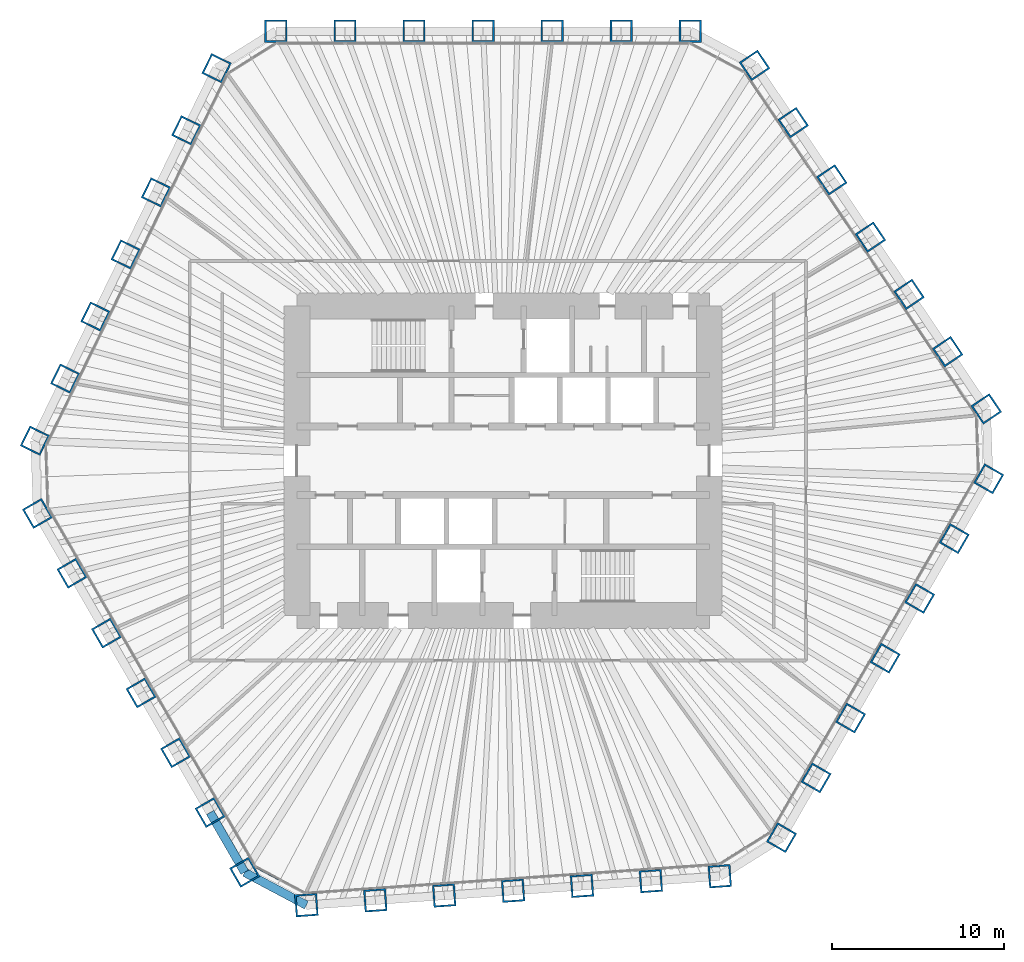
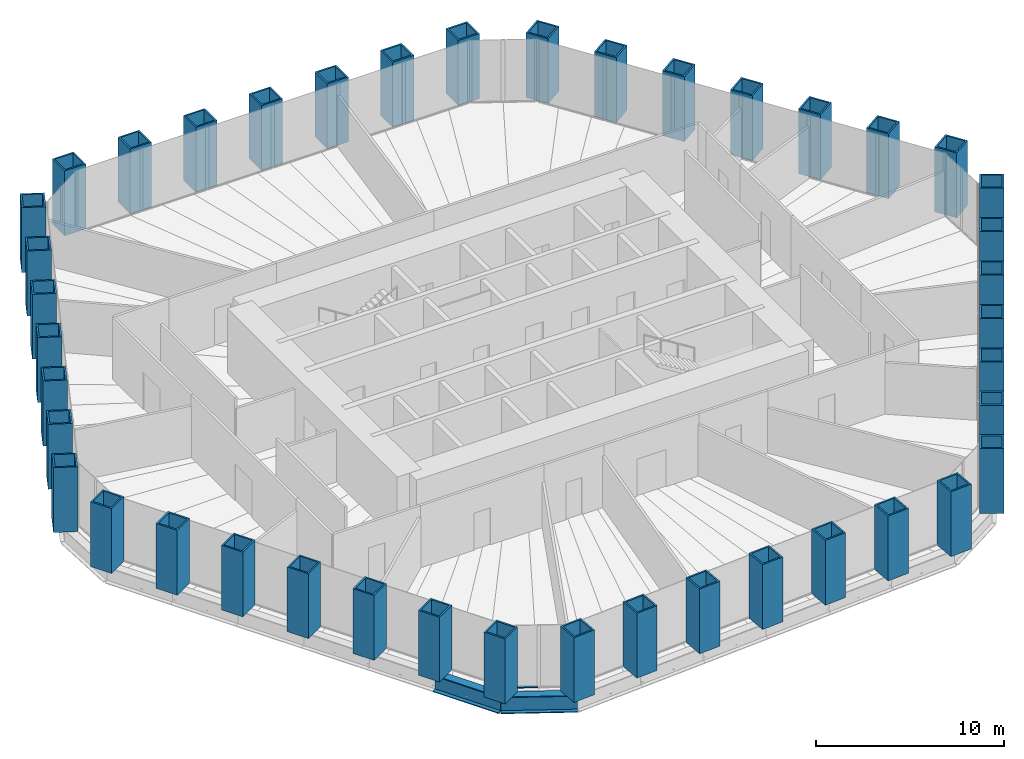
# One storey, part 1 of 13: 42 columns, 2 beams, 1 member, 1 element without a shape of its own.
"""IFC4 building model written with IfcOpenShell, lengths in metres."""

from ifc_helpers import new_model, si_unit, direction, frame, origin, origin_2d, place, context, subcontext, project, spatial, rectangle, hollow_rectangle, i_section, extrude, material, material_profile, profile_set, type_object, element, aggregate, save


model = new_model("IFC4")

# Units and contexts
model_context = context("Model", 3, precision=1e-05, world=origin(), true_north=direction((0.0, 1.0)))
body_context = subcontext(model_context, "Body", "Model", "MODEL_VIEW")
ifc_project = project(units=[si_unit("LENGTHUNIT", "METRE"), si_unit("AREAUNIT", "SQUARE_METRE"), si_unit("VOLUMEUNIT", "CUBIC_METRE"), si_unit("PLANEANGLEUNIT", "RADIAN"), si_unit("MASSUNIT", "GRAM", prefix="KILO")], contexts=[model_context])

# Site, building, storey
site_placement = place(None, origin())
site = spatial("IfcSite", under=ifc_project, at=site_placement, CompositionType="ELEMENT")
building_placement = place(site_placement, origin())
building = spatial("IfcBuilding", under=site, at=building_placement, Name="Qingtian Harvest Tower", CompositionType="ELEMENT")
storey_placement = place(building_placement, frame((0.0, 0.0, 124.0)))
storey = spatial("IfcBuildingStorey", under=building, at=storey_placement, Name="L25", CompositionType="ELEMENT", Elevation=124.0)

# Columns
ifc_material_1 = material(Name="Steel SM570MC", Category="steel")
ifc_material_profile_1 = material_profile(ifc_material_1, hollow_rectangle(XDim=1.300048828125, YDim=1.300048828125, WallThickness=0.10009765625, at=origin_2d()), Name="BOX1300x1300x100")
ifc_profile_set_1 = profile_set([ifc_material_profile_1], Name="Steel SM570MC")
column_type = type_object("IfcColumnType", Name="Tube column TC3 BOX1300x1300x100", PredefinedType="COLUMN", material=ifc_profile_set_1)
for number, where, z_axis, x_axis, name in (
    (1, (-13.2216796875, 25.0, 0.0), (0.0, 0.0, 1.0), (-1.0, 0.0, 0.0), "Tube column TC3 N0"),
    (2, (-9.20263671875, 25.0, 0.0), (0.0, 0.0, 1.0), (-1.0, 0.0, 0.0), "Tube column TC3 N1"),
    (3, (-5.18359375, 25.0, 0.0), (0.0, 0.0, 1.0), (-1.0, 0.0, 0.0), "Tube column TC3 N2"),
    (4, (-1.16455078125, 25.0, 0.0), (0.0, 0.0, 1.0), (-1.0, 0.0, 0.0), "Tube column TC3 N3"),
    (5, (2.8544921875, 25.0, 0.0), (0.0, 0.0, 1.0), (-1.0, 0.0, 0.0), "Tube column TC3 N4"),
    (6, (6.873779296875, 25.0, 0.0), (0.0, 0.0, 1.0), (-1.0, 0.0, 0.0), "Tube column TC3 N5"),
    (7, (10.892822265625, 25.0, 0.0), (0.0, 0.0, 1.0), (-1.0, 0.0, 0.0), "Tube column TC3 N6"),
    (8, (14.634765625, 23.01025390625, 0.0), (0.0, 0.0, 1.0), (-0.559192903471, 0.829037572555, 0.0), "Tube column TC3 NE0"),
    (9, (16.88232421875, 19.67822265625, 0.0), (0.0, 0.0, 1.0), (-0.559192903471, 0.829037572555, 0.0), "Tube column TC3 NE1"),
    (10, (19.129638671875, 16.346435546875, 0.0), (0.0, 0.0, 1.0), (-0.559192903471, 0.829037572555, 0.0), "Tube column TC3 NE2"),
    (11, (21.377197265625, 13.014404296875, 0.0), (0.0, 0.0, 1.0), (-0.559192903471, 0.829037572555, 0.0), "Tube column TC3 NE3"),
    (12, (23.62451171875, 9.682373046875, 0.0), (0.0, 0.0, 1.0), (-0.559192903471, 0.829037572555, 0.0), "Tube column TC3 NE4"),
    (13, (25.8720703125, 6.3505859375, 0.0), (0.0, 0.0, 1.0), (-0.559192903471, 0.829037572555, 0.0), "Tube column TC3 NE5"),
    (14, (28.119384765625, 3.0185546875, 0.0), (0.0, 0.0, 1.0), (-0.559192903471, 0.829037572555, 0.0), "Tube column TC3 NE6"),
    (15, (28.261474609375, -1.049560546875, 0.0), (0.0, 0.0, 1.0), (0.5, 0.866025403784, 0.0), "Tube column TC3 SE0"),
    (16, (26.251953125, -4.5302734375, 0.0), (0.0, 0.0, 1.0), (0.5, 0.866025403784, 0.0), "Tube column TC3 SE1"),
    (17, (24.242431640625, -8.010986328125, 0.0), (0.0, 0.0, 1.0), (0.5, 0.866025403784, 0.0), "Tube column TC3 SE2"),
    (18, (22.23291015625, -11.491455078125, 0.0), (0.0, 0.0, 1.0), (0.5, 0.866025403784, 0.0), "Tube column TC3 SE3"),
    (19, (20.223388671875, -14.97216796875, 0.0), (0.0, 0.0, 1.0), (0.5, 0.866025403784, 0.0), "Tube column TC3 SE4"),
    (20, (18.2138671875, -18.452880859375, 0.0), (0.0, 0.0, 1.0), (0.5, 0.866025403784, 0.0), "Tube column TC3 SE5"),
    (21, (16.204345703125, -21.933349609375, 0.0), (0.0, 0.0, 1.0), (0.5, 0.866025403784, 0.0), "Tube column TC3 SE6"),
    (22, (12.610107421875, -24.17919921875, 0.0), (0.0, 0.0, 1.0), (0.99756405026, 0.069756473744, 0.0), "Tube column TC3 S0"),
    (23, (8.600830078125, -24.459716796875, 0.0), (0.0, 0.0, 1.0), (0.99756405026, 0.069756473744, 0.0), "Tube column TC3 S1"),
    (24, (4.591552734375, -24.739990234375, 0.0), (0.0, 0.0, 1.0), (0.99756405026, 0.069756473744, 0.0), "Tube column TC3 S2"),
    (25, (0.582275390625, -25.020263671875, 0.0), (0.0, 0.0, 1.0), (0.99756405026, 0.069756473744, 0.0), "Tube column TC3 S3"),
    (26, (-3.427001953125, -25.30078125, 0.0), (0.0, 0.0, 1.0), (0.99756405026, 0.069756473744, 0.0), "Tube column TC3 S4"),
    (27, (-7.436279296875, -25.5810546875, 0.0), (0.0, 0.0, 1.0), (0.99756405026, 0.069756473744, 0.0), "Tube column TC3 S5"),
    (28, (-11.445556640625, -25.861328125, 0.0), (0.0, 0.0, 1.0), (0.99756405026, 0.069756473744, 0.0), "Tube column TC3 S6"),
    (29, (-15.039794921875, -23.950439453125, 0.0), (0.0, 0.0, 1.0), (0.5, -0.866025403784, 0.0), "Tube column TC3 SW0"),
    (30, (-17.04931640625, -20.4697265625, 0.0), (0.0, 0.0, 1.0), (0.5, -0.866025403784, 0.0), "Tube column TC3 SW1"),
    (31, (-19.058837890625, -16.989013671875, 0.0), (0.0, 0.0, 1.0), (0.5, -0.866025403784, 0.0), "Tube column TC3 SW2"),
    (32, (-21.068359375, -13.508544921875, 0.0), (0.0, 0.0, 1.0), (0.5, -0.866025403784, 0.0), "Tube column TC3 SW3"),
    (33, (-23.077880859375, -10.02783203125, 0.0), (0.0, 0.0, 1.0), (0.5, -0.866025403784, 0.0), "Tube column TC3 SW4"),
    (34, (-25.08740234375, -6.547119140625, 0.0), (0.0, 0.0, 1.0), (0.5, -0.866025403784, 0.0), "Tube column TC3 SW5"),
    (35, (-27.096923828125, -3.066650390625, 0.0), (0.0, 0.0, 1.0), (0.5, -0.866025403784, 0.0), "Tube column TC3 SW6"),
    (36, (-27.244873046875, 1.1689453125, 0.0), (0.0, 0.0, 1.0), (-0.438371146789, -0.898794046299, 0.0), "Tube column TC3 NW0"),
    (37, (-25.483154296875, 4.78125, 0.0), (0.0, 0.0, 1.0), (-0.438371146789, -0.898794046299, 0.0), "Tube column TC3 NW1"),
    (38, (-23.72119140625, 8.3935546875, 0.0), (0.0, 0.0, 1.0), (-0.438371146789, -0.898794046299, 0.0), "Tube column TC3 NW2"),
    (39, (-21.95947265625, 12.005859375, 0.0), (0.0, 0.0, 1.0), (-0.438371146789, -0.898794046299, 0.0), "Tube column TC3 NW3"),
    (40, (-20.197509765625, 15.6181640625, 0.0), (0.0, 0.0, 1.0), (-0.438371146789, -0.898794046299, 0.0), "Tube column TC3 NW4"),
    (41, (-18.435791015625, 19.23046875, 0.0), (0.0, 0.0, 1.0), (-0.438371146789, -0.898794046299, 0.0), "Tube column TC3 NW5"),
    (42, (-16.673828125, 22.8427734375, 0.0), (0.0, 0.0, 1.0), (-0.438371146789, -0.898794046299, 0.0), "Tube column TC3 NW6"),
):
    element("IfcColumn", number, at=place(storey_placement, frame(where, z_axis=z_axis, x_axis=x_axis)), inside=storey, type_object=column_type, Name=name, PredefinedType="COLUMN", context=body_context, shape_type="SweptSolid", body=[
        extrude(hollow_rectangle(XDim=1.300048828125, YDim=1.300048828125, WallThickness=0.10009765625, at=origin_2d()), origin(), (0.0, 0.0, 1.0), 4.199951171875),
    ])

# Beams
ifc_material_2 = material(Name="Steel SM570MC", Category="steel")
ifc_material_profile_2 = material_profile(ifc_material_2, i_section(OverallWidth=0.5, OverallDepth=1.10009765625, WebThickness=0.02490234375, FlangeThickness=0.050048828125, at=origin_2d()), Name="H1100x500x25x50")
ifc_profile_set_2 = profile_set([ifc_material_profile_2], Name="Steel SM570MC")
beam_type = type_object("IfcBeamType", Name="Spandrel beam SB2 H1100x500x25x50", PredefinedType="SPANDREL", material=ifc_profile_set_2)
beam_1_placement = place(storey_placement, frame((-11.445556640625, -25.861328125, -0.550048828125), z_axis=(-0.882968133669, 0.469432929101, 0.0), x_axis=(-0.469432929101, -0.882968133669, 0.0)))
element("IfcBeam", 43, at=beam_1_placement, inside=storey, type_object=beam_type, Name="Spandrel SB2 SC", PredefinedType="SPANDREL", context=body_context, shape_type="SweptSolid", body=[
    extrude(i_section(OverallWidth=0.5, OverallDepth=1.10009765625, WebThickness=0.02490234375, FlangeThickness=0.050048828125, at=origin_2d()), origin(), (0.0, 0.0, 1.0), 4.070556640625),
])
beam_2_placement = place(storey_placement, frame((-15.039794921875, -23.950439453125, -0.550048828125), z_axis=(-0.499987116613, 0.866032841884, 0.0), x_axis=(-0.866032841884, -0.499987116613, 0.0)))
element("IfcBeam", 44, at=beam_2_placement, inside=storey, type_object=beam_type, Name="Spandrel SB2 SW0", PredefinedType="SPANDREL", context=body_context, shape_type="SweptSolid", body=[
    extrude(i_section(OverallWidth=0.5, OverallDepth=1.10009765625, WebThickness=0.02490234375, FlangeThickness=0.050048828125, at=origin_2d()), origin(), (0.0, 0.0, 1.0), 4.01904296875),
])

# Curtain wall, member
ifc_material_3 = material(Name="Bronze-anodised aluminium curtain wall", Category="aluminium")
curtain_wall_type = type_object("IfcCurtainWallType", Name="Curtain wall CW4 office", PredefinedType="USERDEFINED", material=ifc_material_3)
curtain_wall_placement = place(storey_placement, origin())
curtain_wall = element("IfcCurtainWall", 45, at=curtain_wall_placement, inside=storey, type_object=curtain_wall_type, Name="Curtain wall CW4 L25 SC", ObjectType="RECESSED CURTAIN WALL", PredefinedType="USERDEFINED")
ifc_material_4 = material(Name="Bronze-anodised aluminium transom", Category="aluminium")
ifc_material_profile_3 = material_profile(ifc_material_4, rectangle(XDim=0.14990234375, YDim=0.06494140625, at=origin_2d()), Name="AL 65x150")
ifc_profile_set_3 = profile_set([ifc_material_profile_3], Name="Bronze-anodised aluminium transom")
member_type = type_object("IfcMemberType", Name="Transom CWT 65x150", PredefinedType="USERDEFINED", material=ifc_profile_set_3)
member_placement = place(storey_placement, frame((-12.99267578125, -24.366455078125, 0.032470703125), z_axis=(-0.882960338349, 0.46944759122, 0.0), x_axis=(-0.46944759122, -0.882960338349, 0.0)))
member = element("IfcMember", 46, at=member_placement, type_object=member_type, Name="CW4 transom 2.1", ObjectType="TRANSOM", PredefinedType="USERDEFINED", context=body_context, shape_type="SweptSolid", body=[
    extrude(rectangle(XDim=0.14990234375, YDim=0.06494140625, at=origin_2d()), origin(), (0.0, 0.0, 1.0), 1.56689453125),
])
aggregate(curtain_wall, [member])

save(model, "model.ifc")
